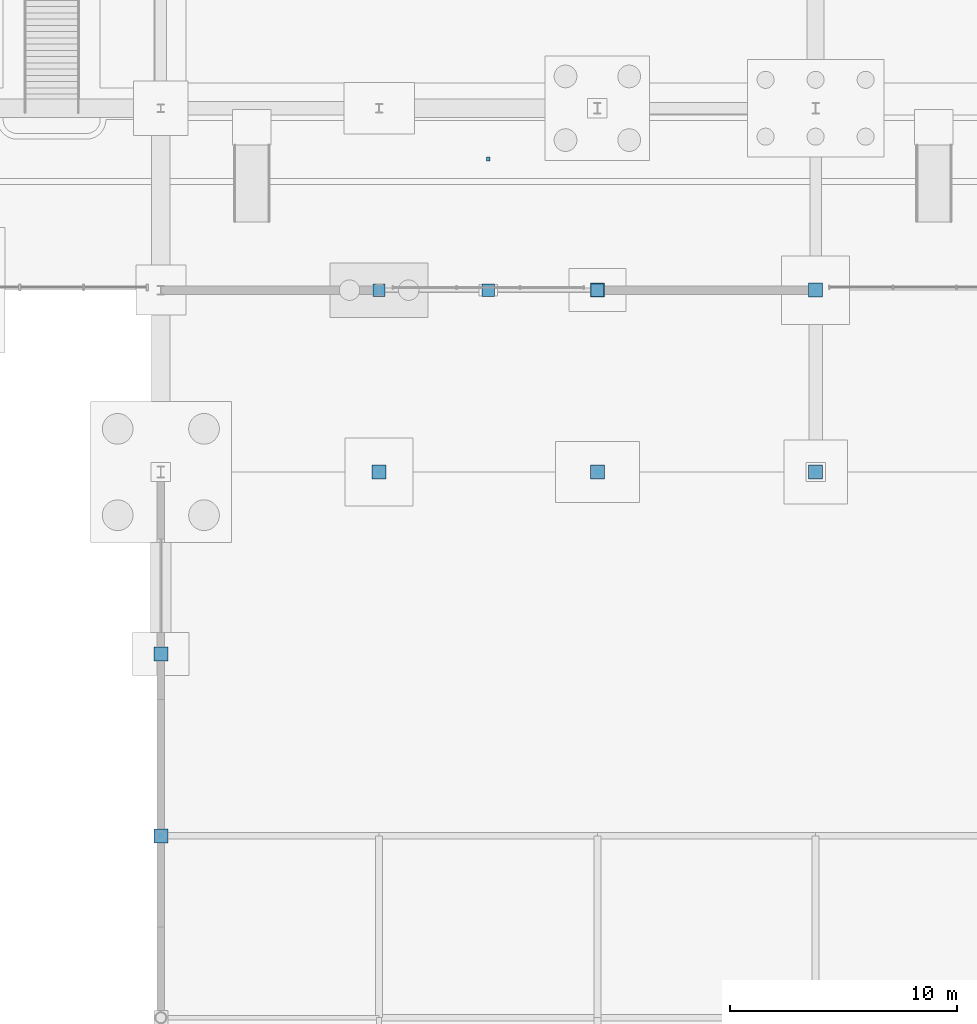
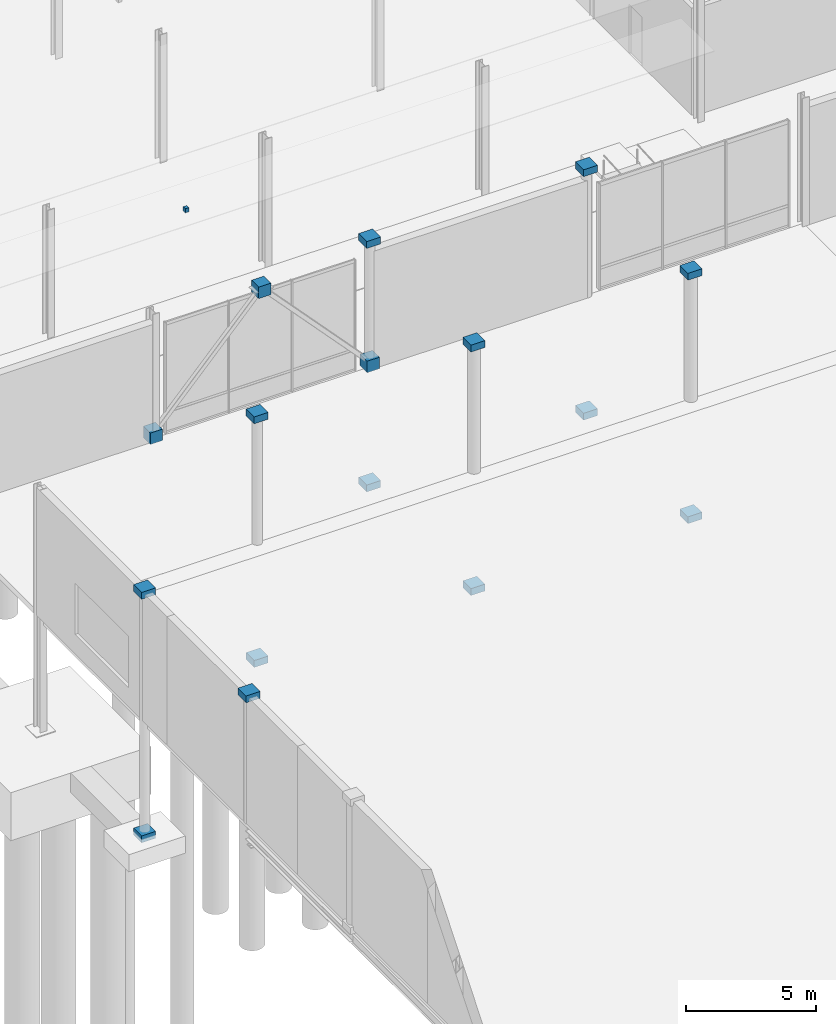
# One storey, part 98 of 124: 17 discrete accessories.
"""IFC4 building model written with IfcOpenShell, lengths in metres."""

from ifc_helpers import new_model, si_unit, direction, frame, origin, origin_2d, place, context, subcontext, project, spatial, rectangle, extrude, material, type_object, element, save


model = new_model("IFC4")

# Units and contexts
model_context = context("Model", 3, precision=1e-05, world=origin(), true_north=direction((0.0, 1.0)))
body_context = subcontext(model_context, "Body", "Model", "MODEL_VIEW")
ifc_project = project(units=[si_unit("LENGTHUNIT", "METRE"), si_unit("AREAUNIT", "SQUARE_METRE"), si_unit("VOLUMEUNIT", "CUBIC_METRE"), si_unit("PLANEANGLEUNIT", "RADIAN"), si_unit("MASSUNIT", "GRAM", prefix="KILO")], contexts=[model_context])

# Site, building, storey
site_placement = place(None, origin())
site = spatial("IfcSite", under=ifc_project, at=site_placement, CompositionType="ELEMENT")
building_placement = place(site_placement, origin())
building = spatial("IfcBuilding", under=site, at=building_placement, Name="Danafjord Basin Convention Centre", CompositionType="ELEMENT")
storey_placement = place(building_placement, origin())
storey = spatial("IfcBuildingStorey", under=building, at=storey_placement, Name="L00", CompositionType="ELEMENT", Elevation=0.0)

# Discrete accessories
ifc_material_1 = material(Name="Stainless steel EN 1.4404", Category="steel")
discrete_accessory_type_1 = type_object("IfcDiscreteAccessoryType", Name="ACC-FIN-BRK", PredefinedType="BRACKET", material=ifc_material_1)
discrete_accessory_placement = place(storey_placement, frame((158.39990234375, 93.77001953125, 5.4599609375), z_axis=(0.0, 0.0, 1.0), x_axis=(1.0, 0.0, 0.0)))
element("IfcDiscreteAccessory", 1, at=discrete_accessory_placement, inside=storey, type_object=discrete_accessory_type_1, Name="Suspended ceiling steel hanger assembly", PredefinedType="BRACKET", context=body_context, shape_type="SweptSolid", body=[
    extrude(rectangle(XDim=0.159912109375, YDim=0.159912109375, at=origin_2d()), origin(), (0.0, 0.0, 1.0), 0.199951171875),
])
ifc_material_2 = material(Name="Steel S355", Category="steel")
discrete_accessory_type_2 = type_object("IfcDiscreteAccessoryType", Name="ACC-SF-HUB", PredefinedType="BRACKET", material=ifc_material_2)
for number, where, z_axis, x_axis, name in (
    (2, (144.0, 64.0, 5.83984375), (0.0, 0.0, 1.0), (1.0, 0.0, 0.0), "Tubular steel column top cap plate"),
    (3, (144.0, 72.0, -5.56005859375), (0.0, 0.0, 1.0), (1.0, 0.0, 0.0), "Tubular steel column base collar"),
    (4, (144.0, 72.0, 5.83984375), (0.0, 0.0, 1.0), (1.0, 0.0, 0.0), "Tubular steel column top cap plate"),
    (5, (153.60009765625, 80.0, -5.56005859375), (0.0, 0.0, 1.0), (1.0, 0.0, 0.0), "Tubular steel column base collar"),
    (6, (153.60009765625, 80.0, 5.83984375), (0.0, 0.0, 1.0), (1.0, 0.0, 0.0), "Tubular steel column top cap plate"),
    (7, (163.199951171875, 80.0, -5.56005859375), (0.0, 0.0, 1.0), (1.0, 0.0, 0.0), "Tubular steel column base collar"),
    (8, (163.199951171875, 80.0, 5.83984375), (0.0, 0.0, 1.0), (1.0, 0.0, 0.0), "Tubular steel column top cap plate"),
    (9, (163.199951171875, 88.0, -5.56005859375), (0.0, 0.0, 1.0), (1.0, 0.0, 0.0), "Tubular steel column base collar"),
    (10, (163.199951171875, 88.0, 5.83984375), (0.0, 0.0, 1.0), (1.0, 0.0, 0.0), "Tubular steel column top cap plate"),
    (11, (172.800048828125, 80.0, -5.56005859375), (0.0, 0.0, 1.0), (1.0, 0.0, 0.0), "Tubular steel column base collar"),
    (12, (172.800048828125, 80.0, 5.83984375), (0.0, 0.0, 1.0), (1.0, 0.0, 0.0), "Tubular steel column top cap plate"),
    (13, (172.800048828125, 88.0, -5.56005859375), (0.0, 0.0, 1.0), (1.0, 0.0, 0.0), "Tubular steel column base collar"),
    (14, (172.800048828125, 88.0, 5.83984375), (0.0, 0.0, 1.0), (1.0, 0.0, 0.0), "Tubular steel column top cap plate"),
):
    element("IfcDiscreteAccessory", number, at=place(storey_placement, frame(where, z_axis=z_axis, x_axis=x_axis)), inside=storey, type_object=discrete_accessory_type_2, Name=name, PredefinedType="BRACKET", context=body_context, shape_type="SweptSolid", body=[
        extrude(rectangle(XDim=0.6201171875, YDim=0.6201171875, at=origin_2d()), origin(), (0.0, 0.0, 1.0), 0.320068359375),
    ])
for number, where, z_axis, x_axis, name in (
    (15, (153.60009765625, 88.0, -0.02001953125), (0.0, 0.0, 1.0), (1.0, 0.0, 0.0), "Braced frame closed steel node"),
    (16, (163.199951171875, 88.0, -0.02001953125), (0.0, 0.0, 1.0), (1.0, 0.0, 0.0), "Braced frame closed steel node"),
    (17, (158.39990234375, 88.0, 5.1298828125), (0.0, 0.0, 1.0), (1.0, 0.0, 0.0), "Braced frame closed steel node"),
):
    element("IfcDiscreteAccessory", number, at=place(storey_placement, frame(where, z_axis=z_axis, x_axis=x_axis)), inside=storey, type_object=discrete_accessory_type_2, Name=name, PredefinedType="BRACKET", context=body_context, shape_type="SweptSolid", body=[
        extrude(rectangle(XDim=0.5400390625, YDim=0.5400390625, at=origin_2d()), origin(), (0.0, 0.0, 1.0), 0.5400390625),
    ])

save(model, "model.ifc")
